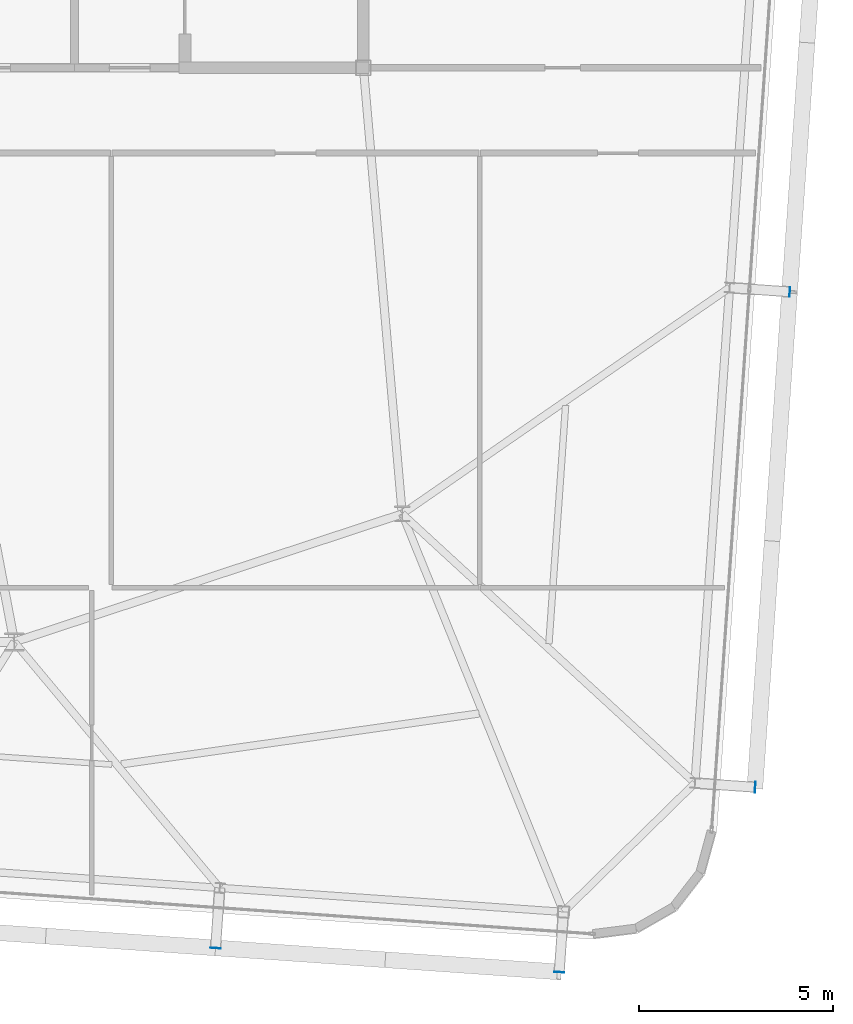
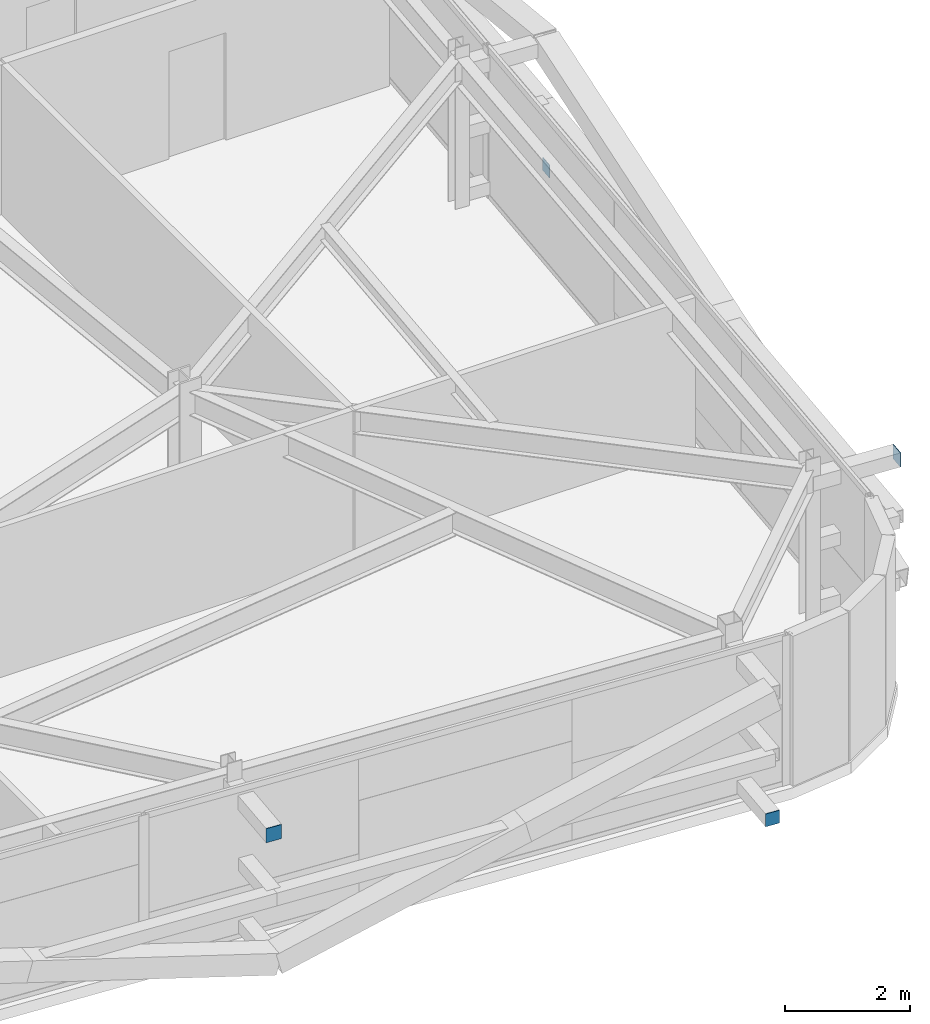
# One storey, part 30 of 39: 4 plates.
"""IFC4 building model written with IfcOpenShell, lengths in metres."""

from ifc_helpers import new_model, si_unit, direction, frame, origin, origin_2d, place, context, subcontext, project, spatial, rectangle, extrude, source, transform, mapped, material, layer, layer_set, type_object, element, save


model = new_model("IFC4")

# Units and contexts
model_context = context("Model", 3, precision=1e-05, world=origin(), true_north=direction((0.0, 1.0)))
body_context = subcontext(model_context, "Body", "Model", "MODEL_VIEW")
ifc_project = project(units=[si_unit("LENGTHUNIT", "METRE"), si_unit("AREAUNIT", "SQUARE_METRE"), si_unit("VOLUMEUNIT", "CUBIC_METRE"), si_unit("PLANEANGLEUNIT", "RADIAN"), si_unit("MASSUNIT", "GRAM", prefix="KILO")], contexts=[model_context])

# Site, building, storey
site_placement = place(None, origin())
site = spatial("IfcSite", under=ifc_project, at=site_placement, CompositionType="ELEMENT")
building_placement = place(site_placement, origin())
building = spatial("IfcBuilding", under=site, at=building_placement, Name="Taldren Reach Tower", CompositionType="ELEMENT")
storey_placement = place(building_placement, frame((0.0, 0.0, 126.699951171875)))
storey = spatial("IfcBuildingStorey", under=building, at=storey_placement, Name="L38", CompositionType="ELEMENT", Elevation=126.699951171875)

# Plates
ifc_material_1 = material(Name="Steel Gr 450 (C450L0)", Category="steel")
ifc_layer_1 = layer(ifc_material_1, 0.011962890625)
ifc_layer_set_1 = layer_set([ifc_layer_1], Name="Steel Gr 450 (C450L0)")
plate_type_1 = type_object("IfcPlateType", Name="PL-CAP-275", PredefinedType="SHEET", material=ifc_layer_set_1)
shared_shape_1 = source(origin(), body_context, "Body", "SweptSolid", [
    extrude(rectangle(XDim=0.27490234375, YDim=0.011962890625, at=origin_2d()), origin(), (0.0, 0.0, 1.0), 0.27490234375),
])
plate_1_placement = place(storey_placement, frame((47.1884765625, 1.308349609375, 2.5126953125), z_axis=(0.0, 0.0, 1.0), x_axis=(0.99756405026, -0.069756473744, 0.0)))
element("IfcPlate", 1, at=plate_1_placement, inside=storey, type_object=plate_type_1, Name="Tie strut end cap plate B3-S5 L38", PredefinedType="SHEET", context=body_context, shape_type="MappedRepresentation", body=[
    mapped(shared_shape_1, transform((0.0, 0.0, 0.0), scale=1.0)),
])
shared_shape_2 = source(origin(), body_context, "Body", "SweptSolid", [
    extrude(rectangle(XDim=0.011962890625, YDim=0.27490234375, at=origin_2d()), origin(), (0.0, 0.0, 1.0), 0.27490234375),
])
plate_2_placement = place(storey_placement, frame((61.09765625, 5.454345703125, 2.5126953125), z_axis=(0.0, 0.0, 1.0), x_axis=(0.99756405026, -0.069756473744, 0.0)))
element("IfcPlate", 2, at=plate_2_placement, inside=storey, type_object=plate_type_1, Name="Tie strut end cap plate B3-E1 L38", PredefinedType="SHEET", context=body_context, shape_type="MappedRepresentation", body=[
    mapped(shared_shape_2, transform((0.0, 0.0, 0.0), scale=1.0)),
])
ifc_material_2 = material(Name="Steel Gr 350 (C350L0)", Category="steel")
ifc_layer_2 = layer(ifc_material_2, 0.011962890625)
ifc_layer_set_2 = layer_set([ifc_layer_2], Name="Steel Gr 350 (C350L0)")
plate_type_2 = type_object("IfcPlateType", Name="PL-CAP-250", PredefinedType="SHEET", material=ifc_layer_set_2)
shared_shape_3 = source(origin(), body_context, "Body", "SweptSolid", [
    extrude(rectangle(XDim=0.25, YDim=0.011962890625, at=origin_2d()), origin(), (0.0, 0.0, 1.0), 0.25),
])
plate_3_placement = place(storey_placement, frame((56.046875, 0.68896484375, 0.094970703125), z_axis=(0.0, 0.0, 1.0), x_axis=(0.99756405026, -0.069756473744, 0.0)))
element("IfcPlate", 3, at=plate_3_placement, inside=storey, type_object=plate_type_2, Name="Tie strut end cap plate B3-S6 L38", PredefinedType="SHEET", context=body_context, shape_type="MappedRepresentation", body=[
    mapped(shared_shape_3, transform((0.0, 0.0, 0.0), scale=1.0)),
])
shared_shape_4 = source(origin(), body_context, "Body", "SweptSolid", [
    extrude(rectangle(XDim=0.011962890625, YDim=0.25, at=origin_2d()), origin(), (0.0, 0.0, 1.0), 0.25),
])
plate_4_placement = place(storey_placement, frame((61.990478515625, 18.22314453125, 0.094970703125), z_axis=(0.0, 0.0, 1.0), x_axis=(0.99756405026, -0.069756473744, 0.0)))
element("IfcPlate", 4, at=plate_4_placement, inside=storey, type_object=plate_type_2, Name="Tie strut end cap plate B3-E2 L38", PredefinedType="SHEET", context=body_context, shape_type="MappedRepresentation", body=[
    mapped(shared_shape_4, transform((0.0, 0.0, 0.0), scale=1.0)),
])

save(model, "model.ifc")
